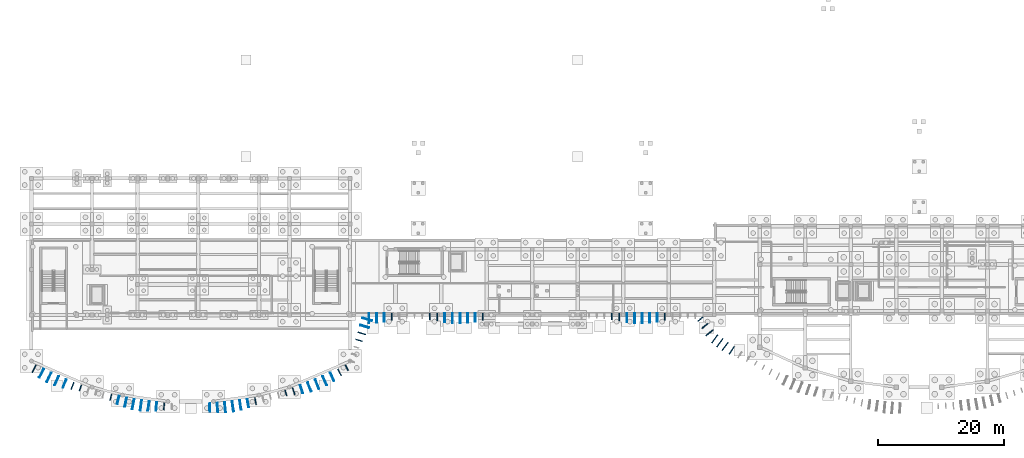
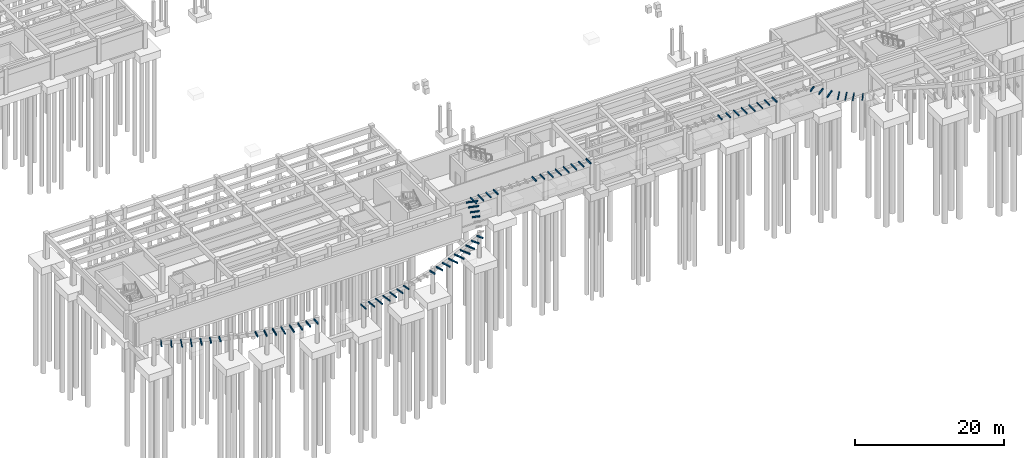
# One storey, part 21 of 31: 62 discrete accessories.
"""IFC4 building model written with IfcOpenShell, lengths in metres."""

from ifc_helpers import new_model, si_unit, direction, frame, origin, origin_2d, place, context, subcontext, project, spatial, rectangle, extrude, material, type_object, element, save


model = new_model("IFC4")

# Units and contexts
model_context = context("Model", 3, precision=1e-05, world=origin(), true_north=direction((0.0, 1.0)))
body_context = subcontext(model_context, "Body", "Model", "MODEL_VIEW")
ifc_project = project(units=[si_unit("LENGTHUNIT", "METRE"), si_unit("AREAUNIT", "SQUARE_METRE"), si_unit("VOLUMEUNIT", "CUBIC_METRE"), si_unit("PLANEANGLEUNIT", "RADIAN"), si_unit("MASSUNIT", "GRAM", prefix="KILO")], contexts=[model_context])

# Site, building, storey
site_placement = place(None, origin())
site = spatial("IfcSite", under=ifc_project, at=site_placement, CompositionType="ELEMENT")
building_placement = place(site_placement, origin())
building = spatial("IfcBuilding", under=site, at=building_placement, Name="Brisavento Harbour Community Centre", CompositionType="ELEMENT")
storey_placement = place(building_placement, frame((0.0, 0.0, -4.199951171875)))
storey = spatial("IfcBuildingStorey", under=building, at=storey_placement, Name="B1", CompositionType="ELEMENT", Elevation=-4.199951171875)

# Discrete accessories
ifc_material = material(Name="Stainless steel 1.4401", Category="steel")
discrete_accessory_type = type_object("IfcDiscreteAccessoryType", Name="BRK-FIN-SS", PredefinedType="BRACKET", material=ifc_material)
discrete_accessory_1_placement = place(storey_placement, frame((0.431884765625, 5.878662109375, 3.97998046875), z_axis=(0.0, 0.0, 1.0), x_axis=(-0.461702168823, -0.887035009063, 0.0)))
element("IfcDiscreteAccessory", 1, at=discrete_accessory_1_placement, inside=storey, type_object=discrete_accessory_type, Name="Stainless-steel storm-fin bracket 001.1", PredefinedType="BRACKET", context=body_context, shape_type="SweptSolid", body=[
    extrude(rectangle(XDim=1.32861328125, YDim=0.139892578125, at=origin_2d()), origin(), (0.0, 0.0, 1.0), 0.199951171875),
])
discrete_accessory_2_placement = place(storey_placement, frame((1.58447265625, 5.1630859375, 3.97998046875), z_axis=(0.0, 0.0, 1.0), x_axis=(-0.461702168823, -0.887035009063, 0.0)))
element("IfcDiscreteAccessory", 2, at=discrete_accessory_2_placement, inside=storey, type_object=discrete_accessory_type, Name="Stainless-steel storm-fin bracket 002.1", PredefinedType="BRACKET", context=body_context, shape_type="SweptSolid", body=[
    extrude(rectangle(XDim=1.533935546875, YDim=0.139892578125, at=origin_2d()), origin(), (0.0, 0.0, 1.0), 0.199951171875),
])
discrete_accessory_3_placement = place(storey_placement, frame((2.786376953125, 4.5234375, 3.97998046875), z_axis=(0.0, 0.0, 1.0), x_axis=(-0.415518926407, -0.909584532519, 0.0)))
element("IfcDiscreteAccessory", 3, at=discrete_accessory_3_placement, inside=storey, type_object=discrete_accessory_type, Name="Stainless-steel storm-fin bracket 003.1", PredefinedType="BRACKET", context=body_context, shape_type="SweptSolid", body=[
    extrude(rectangle(XDim=1.627685546875, YDim=0.139892578125, at=origin_2d()), origin(), (0.0, 0.0, 1.0), 0.199951171875),
])
discrete_accessory_4_placement = place(storey_placement, frame((3.99560546875, 3.99560546875, 3.97998046875), z_axis=(0.0, 0.0, 1.0), x_axis=(-0.415518926407, -0.909584532519, 0.0)))
element("IfcDiscreteAccessory", 4, at=discrete_accessory_4_placement, inside=storey, type_object=discrete_accessory_type, Name="Stainless-steel storm-fin bracket 004.1", PredefinedType="BRACKET", context=body_context, shape_type="SweptSolid", body=[
    extrude(rectangle(XDim=1.583251953125, YDim=0.139892578125, at=origin_2d()), origin(), (0.0, 0.0, 1.0), 0.199951171875),
])
discrete_accessory_5_placement = place(storey_placement, frame((5.248779296875, 3.549560546875, 3.97998046875), z_axis=(0.0, 0.0, 1.0), x_axis=(-0.369341311525, -0.92929381554, 0.0)))
element("IfcDiscreteAccessory", 5, at=discrete_accessory_5_placement, inside=storey, type_object=discrete_accessory_type, Name="Stainless-steel storm-fin bracket 005.1", PredefinedType="BRACKET", context=body_context, shape_type="SweptSolid", body=[
    extrude(rectangle(XDim=1.419189453125, YDim=0.139892578125, at=origin_2d()), origin(), (0.0, 0.0, 1.0), 0.199951171875),
])
discrete_accessory_6_placement = place(storey_placement, frame((6.490966796875, 3.17919921875, 3.97998046875), z_axis=(0.0, 0.0, 1.0), x_axis=(-0.369341311525, -0.92929381554, 0.0)))
element("IfcDiscreteAccessory", 6, at=discrete_accessory_6_placement, inside=storey, type_object=discrete_accessory_type, Name="Stainless-steel storm-fin bracket 006.1", PredefinedType="BRACKET", context=body_context, shape_type="SweptSolid", body=[
    extrude(rectangle(XDim=1.18994140625, YDim=0.139892578125, at=origin_2d()), origin(), (0.0, 0.0, 1.0), 0.199951171875),
])
discrete_accessory_7_placement = place(storey_placement, frame((7.74072265625, 2.836181640625, 3.97998046875), z_axis=(0.0, 0.0, 1.0), x_axis=(-0.323174264667, -0.94633947115, 0.0)))
element("IfcDiscreteAccessory", 7, at=discrete_accessory_7_placement, inside=storey, type_object=discrete_accessory_type, Name="Stainless-steel storm-fin bracket 007.1", PredefinedType="BRACKET", context=body_context, shape_type="SweptSolid", body=[
    extrude(rectangle(XDim=0.96728515625, YDim=0.139892578125, at=origin_2d()), origin(), (0.0, 0.0, 1.0), 0.199951171875),
])
discrete_accessory_8_placement = place(storey_placement, frame((12.54736328125, 1.339111328125, 3.97998046875), z_axis=(0.0, 0.0, 1.0), x_axis=(-0.230830981037, -0.972993863389, 0.0)))
element("IfcDiscreteAccessory", 8, at=discrete_accessory_8_placement, inside=storey, type_object=discrete_accessory_type, Name="Stainless-steel storm-fin bracket 011.1", PredefinedType="BRACKET", context=body_context, shape_type="SweptSolid", body=[
    extrude(rectangle(XDim=1.0556640625, YDim=0.139892578125, at=origin_2d()), origin(), (0.0, 0.0, 1.0), 0.199951171875),
])
discrete_accessory_9_placement = place(storey_placement, frame((13.721435546875, 0.945068359375, 3.97998046875), z_axis=(0.0, 0.0, 1.0), x_axis=(-0.230830981037, -0.972993863389, 0.0)))
element("IfcDiscreteAccessory", 9, at=discrete_accessory_9_placement, inside=storey, type_object=discrete_accessory_type, Name="Stainless-steel storm-fin bracket 012.1", PredefinedType="BRACKET", context=body_context, shape_type="SweptSolid", body=[
    extrude(rectangle(XDim=1.28076171875, YDim=0.139892578125, at=origin_2d()), origin(), (0.0, 0.0, 1.0), 0.199951171875),
])
discrete_accessory_10_placement = place(storey_placement, frame((14.91845703125, 0.5869140625, 3.97998046875), z_axis=(0.0, 0.0, 1.0), x_axis=(-0.184671830369, -0.982800241691, 0.0)))
element("IfcDiscreteAccessory", 10, at=discrete_accessory_10_placement, inside=storey, type_object=discrete_accessory_type, Name="Stainless-steel storm-fin bracket 013.1", PredefinedType="BRACKET", context=body_context, shape_type="SweptSolid", body=[
    extrude(rectangle(XDim=1.4833984375, YDim=0.139892578125, at=origin_2d()), origin(), (0.0, 0.0, 1.0), 0.199951171875),
])
discrete_accessory_11_placement = place(storey_placement, frame((16.10693359375, 0.30029296875, 3.97998046875), z_axis=(0.0, 0.0, 1.0), x_axis=(-0.184671830369, -0.982800241691, 0.0)))
element("IfcDiscreteAccessory", 11, at=discrete_accessory_11_placement, inside=storey, type_object=discrete_accessory_type, Name="Stainless-steel storm-fin bracket 014.1", PredefinedType="BRACKET", context=body_context, shape_type="SweptSolid", body=[
    extrude(rectangle(XDim=1.60791015625, YDim=0.139892578125, at=origin_2d()), origin(), (0.0, 0.0, 1.0), 0.199951171875),
])
discrete_accessory_12_placement = place(storey_placement, frame((17.329345703125, 0.093505859375, 3.97998046875), z_axis=(0.0, 0.0, 1.0), x_axis=(-0.138499014678, -0.990362571452, 0.0)))
element("IfcDiscreteAccessory", 12, at=discrete_accessory_12_placement, inside=storey, type_object=discrete_accessory_type, Name="Stainless-steel storm-fin bracket 015.1", PredefinedType="BRACKET", context=body_context, shape_type="SweptSolid", body=[
    extrude(rectangle(XDim=1.620849609375, YDim=0.139892578125, at=origin_2d()), origin(), (0.0, 0.0, 1.0), 0.199951171875),
])
discrete_accessory_13_placement = place(storey_placement, frame((18.536376953125, -0.0244140625, 3.97998046875), z_axis=(0.0, 0.0, 1.0), x_axis=(-0.138499014678, -0.990362571452, 0.0)))
element("IfcDiscreteAccessory", 13, at=discrete_accessory_13_placement, inside=storey, type_object=discrete_accessory_type, Name="Stainless-steel storm-fin bracket 016.1", PredefinedType="BRACKET", context=body_context, shape_type="SweptSolid", body=[
    extrude(rectangle(XDim=1.52001953125, YDim=0.139892578125, at=origin_2d()), origin(), (0.0, 0.0, 1.0), 0.199951171875),
])
discrete_accessory_14_placement = place(storey_placement, frame((19.76611328125, -0.073486328125, 3.97998046875), z_axis=(0.0, 0.0, 1.0), x_axis=(-0.092335830041, -0.99572792192, 0.0)))
element("IfcDiscreteAccessory", 14, at=discrete_accessory_14_placement, inside=storey, type_object=discrete_accessory_type, Name="Stainless-steel storm-fin bracket 017.1", PredefinedType="BRACKET", context=body_context, shape_type="SweptSolid", body=[
    extrude(rectangle(XDim=1.333740234375, YDim=0.139892578125, at=origin_2d()), origin(), (0.0, 0.0, 1.0), 0.199951171875),
])
discrete_accessory_15_placement = place(storey_placement, frame((20.976318359375, -0.074951171875, 3.97998046875), z_axis=(0.0, 0.0, 1.0), x_axis=(-0.092335830041, -0.99572792192, 0.0)))
element("IfcDiscreteAccessory", 15, at=discrete_accessory_15_placement, inside=storey, type_object=discrete_accessory_type, Name="Stainless-steel storm-fin bracket 018.1", PredefinedType="BRACKET", context=body_context, shape_type="SweptSolid", body=[
    extrude(rectangle(XDim=1.11279296875, YDim=0.139892578125, at=origin_2d()), origin(), (0.0, 0.0, 1.0), 0.199951171875),
])
discrete_accessory_16_placement = place(storey_placement, frame((28.216064453125, -0.251708984375, 3.97998046875), z_axis=(0.0, 0.0, 1.0), x_axis=(0.0461649984, -0.9989338281, 0.0)))
element("IfcDiscreteAccessory", 16, at=discrete_accessory_16_placement, inside=storey, type_object=discrete_accessory_type, Name="Stainless-steel storm-fin bracket 020.1", PredefinedType="BRACKET", context=body_context, shape_type="SweptSolid", body=[
    extrude(rectangle(XDim=1.29833984375, YDim=0.139892578125, at=origin_2d()), origin(), (0.0, 0.0, 1.0), 0.199951171875),
])
discrete_accessory_17_placement = place(storey_placement, frame((29.441162109375, -0.264404296875, 3.97998046875), z_axis=(0.0, 0.0, 1.0), x_axis=(0.092335830041, -0.99572792192, 0.0)))
element("IfcDiscreteAccessory", 17, at=discrete_accessory_17_placement, inside=storey, type_object=discrete_accessory_type, Name="Stainless-steel storm-fin bracket 021.1", PredefinedType="BRACKET", context=body_context, shape_type="SweptSolid", body=[
    extrude(rectangle(XDim=1.49365234375, YDim=0.139892578125, at=origin_2d()), origin(), (0.0, 0.0, 1.0), 0.199951171875),
])
discrete_accessory_18_placement = place(storey_placement, frame((30.646728515625, -0.211669921875, 3.97998046875), z_axis=(0.0, 0.0, 1.0), x_axis=(0.092335830041, -0.99572792192, 0.0)))
element("IfcDiscreteAccessory", 18, at=discrete_accessory_18_placement, inside=storey, type_object=discrete_accessory_type, Name="Stainless-steel storm-fin bracket 022.1", PredefinedType="BRACKET", context=body_context, shape_type="SweptSolid", body=[
    extrude(rectangle(XDim=1.611083984375, YDim=0.139892578125, at=origin_2d()), origin(), (0.0, 0.0, 1.0), 0.199951171875),
])
discrete_accessory_19_placement = place(storey_placement, frame((31.87060546875, -0.0732421875, 3.97998046875), z_axis=(0.0, 0.0, 1.0), x_axis=(0.138499014678, -0.990362571452, 0.0)))
element("IfcDiscreteAccessory", 19, at=discrete_accessory_19_placement, inside=storey, type_object=discrete_accessory_type, Name="Stainless-steel storm-fin bracket 023.1", PredefinedType="BRACKET", context=body_context, shape_type="SweptSolid", body=[
    extrude(rectangle(XDim=1.618896484375, YDim=0.139892578125, at=origin_2d()), origin(), (0.0, 0.0, 1.0), 0.199951171875),
])
discrete_accessory_20_placement = place(storey_placement, frame((33.063232421875, 0.146484375, 3.97998046875), z_axis=(0.0, 0.0, 1.0), x_axis=(0.138499014678, -0.990362571452, 0.0)))
element("IfcDiscreteAccessory", 20, at=discrete_accessory_20_placement, inside=storey, type_object=discrete_accessory_type, Name="Stainless-steel storm-fin bracket 024.1", PredefinedType="BRACKET", context=body_context, shape_type="SweptSolid", body=[
    extrude(rectangle(XDim=1.513916015625, YDim=0.139892578125, at=origin_2d()), origin(), (0.0, 0.0, 1.0), 0.199951171875),
])
discrete_accessory_21_placement = place(storey_placement, frame((34.266845703125, 0.440185546875, 3.97998046875), z_axis=(0.0, 0.0, 1.0), x_axis=(0.184671830369, -0.982800241691, 0.0)))
element("IfcDiscreteAccessory", 21, at=discrete_accessory_21_placement, inside=storey, type_object=discrete_accessory_type, Name="Stainless-steel storm-fin bracket 025.1", PredefinedType="BRACKET", context=body_context, shape_type="SweptSolid", body=[
    extrude(rectangle(XDim=1.323486328125, YDim=0.139892578125, at=origin_2d()), origin(), (0.0, 0.0, 1.0), 0.199951171875),
])
discrete_accessory_22_placement = place(storey_placement, frame((35.4462890625, 0.775634765625, 3.97998046875), z_axis=(0.0, 0.0, 1.0), x_axis=(0.184671830369, -0.982800241691, 0.0)))
element("IfcDiscreteAccessory", 22, at=discrete_accessory_22_placement, inside=storey, type_object=discrete_accessory_type, Name="Stainless-steel storm-fin bracket 026.1", PredefinedType="BRACKET", context=body_context, shape_type="SweptSolid", body=[
    extrude(rectangle(XDim=1.099853515625, YDim=0.139892578125, at=origin_2d()), origin(), (0.0, 0.0, 1.0), 0.199951171875),
])
discrete_accessory_23_placement = place(storey_placement, frame((40.244384765625, 2.06787109375, 3.97998046875), z_axis=(0.0, 0.0, 1.0), x_axis=(0.276996031628, -0.96087106235, 0.0)))
element("IfcDiscreteAccessory", 23, at=discrete_accessory_23_placement, inside=storey, type_object=discrete_accessory_type, Name="Stainless-steel storm-fin bracket 030.1", PredefinedType="BRACKET", context=body_context, shape_type="SweptSolid", body=[
    extrude(rectangle(XDim=0.921142578125, YDim=0.139892578125, at=origin_2d()), origin(), (0.0, 0.0, 1.0), 0.199951171875),
])
discrete_accessory_24_placement = place(storey_placement, frame((41.4853515625, 2.350341796875, 3.97998046875), z_axis=(0.0, 0.0, 1.0), x_axis=(0.323174264667, -0.94633947115, 0.0)))
element("IfcDiscreteAccessory", 24, at=discrete_accessory_24_placement, inside=storey, type_object=discrete_accessory_type, Name="Stainless-steel storm-fin bracket 031.1", PredefinedType="BRACKET", context=body_context, shape_type="SweptSolid", body=[
    extrude(rectangle(XDim=1.1279296875, YDim=0.139892578125, at=origin_2d()), origin(), (0.0, 0.0, 1.0), 0.199951171875),
])
discrete_accessory_25_placement = place(storey_placement, frame((42.72265625, 2.650634765625, 3.97998046875), z_axis=(0.0, 0.0, 1.0), x_axis=(0.323174264667, -0.94633947115, 0.0)))
element("IfcDiscreteAccessory", 25, at=discrete_accessory_25_placement, inside=storey, type_object=discrete_accessory_type, Name="Stainless-steel storm-fin bracket 032.1", PredefinedType="BRACKET", context=body_context, shape_type="SweptSolid", body=[
    extrude(rectangle(XDim=1.359130859375, YDim=0.139892578125, at=origin_2d()), origin(), (0.0, 0.0, 1.0), 0.199951171875),
])
discrete_accessory_26_placement = place(storey_placement, frame((43.974609375, 3.013916015625, 3.97998046875), z_axis=(0.0, 0.0, 1.0), x_axis=(0.369341311525, -0.92929381554, 0.0)))
element("IfcDiscreteAccessory", 26, at=discrete_accessory_26_placement, inside=storey, type_object=discrete_accessory_type, Name="Stainless-steel storm-fin bracket 033.1", PredefinedType="BRACKET", context=body_context, shape_type="SweptSolid", body=[
    extrude(rectangle(XDim=1.54541015625, YDim=0.139892578125, at=origin_2d()), origin(), (0.0, 0.0, 1.0), 0.199951171875),
])
discrete_accessory_27_placement = place(storey_placement, frame((45.18994140625, 3.4521484375, 3.97998046875), z_axis=(0.0, 0.0, 1.0), x_axis=(0.369341311525, -0.92929381554, 0.0)))
element("IfcDiscreteAccessory", 27, at=discrete_accessory_27_placement, inside=storey, type_object=discrete_accessory_type, Name="Stainless-steel storm-fin bracket 034.1", PredefinedType="BRACKET", context=body_context, shape_type="SweptSolid", body=[
    extrude(rectangle(XDim=1.628662109375, YDim=0.139892578125, at=origin_2d()), origin(), (0.0, 0.0, 1.0), 0.199951171875),
])
discrete_accessory_28_placement = place(storey_placement, frame((46.403564453125, 3.9970703125, 3.97998046875), z_axis=(0.0, 0.0, 1.0), x_axis=(0.415518926407, -0.909584532519, 0.0)))
element("IfcDiscreteAccessory", 28, at=discrete_accessory_28_placement, inside=storey, type_object=discrete_accessory_type, Name="Stainless-steel storm-fin bracket 035.1", PredefinedType="BRACKET", context=body_context, shape_type="SweptSolid", body=[
    extrude(rectangle(XDim=1.57958984375, YDim=0.139892578125, at=origin_2d()), origin(), (0.0, 0.0, 1.0), 0.199951171875),
])
discrete_accessory_29_placement = place(storey_placement, frame((47.568359375, 4.62255859375, 3.97998046875), z_axis=(0.0, 0.0, 1.0), x_axis=(0.415518926407, -0.909584532519, 0.0)))
element("IfcDiscreteAccessory", 29, at=discrete_accessory_29_placement, inside=storey, type_object=discrete_accessory_type, Name="Stainless-steel storm-fin bracket 036.1", PredefinedType="BRACKET", context=body_context, shape_type="SweptSolid", body=[
    extrude(rectangle(XDim=1.41015625, YDim=0.139892578125, at=origin_2d()), origin(), (0.0, 0.0, 1.0), 0.199951171875),
])
discrete_accessory_30_placement = place(storey_placement, frame((48.73193359375, 5.323974609375, 3.97998046875), z_axis=(0.0, 0.0, 1.0), x_axis=(0.461702168823, -0.887035009063, 0.0)))
element("IfcDiscreteAccessory", 30, at=discrete_accessory_30_placement, inside=storey, type_object=discrete_accessory_type, Name="Stainless-steel storm-fin bracket 037.1", PredefinedType="BRACKET", context=body_context, shape_type="SweptSolid", body=[
    extrude(rectangle(XDim=1.17138671875, YDim=0.139892578125, at=origin_2d()), origin(), (0.0, 0.0, 1.0), 0.199951171875),
])
discrete_accessory_31_placement = place(storey_placement, frame((49.878662109375, 6.050537109375, 3.97998046875), z_axis=(0.0, 0.0, 1.0), x_axis=(0.461702168823, -0.887035009063, 0.0)))
element("IfcDiscreteAccessory", 31, at=discrete_accessory_31_placement, inside=storey, type_object=discrete_accessory_type, Name="Stainless-steel storm-fin bracket 038.1", PredefinedType="BRACKET", context=body_context, shape_type="SweptSolid", body=[
    extrude(rectangle(XDim=0.941162109375, YDim=0.139892578125, at=origin_2d()), origin(), (0.0, 0.0, 1.0), 0.199951171875),
])
discrete_accessory_32_placement = place(storey_placement, frame((51.814208984375, 10.391845703125, 3.97998046875), z_axis=(0.0, 0.0, 1.0), x_axis=(0.956676487643, -0.291153049083, 0.0)))
element("IfcDiscreteAccessory", 32, at=discrete_accessory_32_placement, inside=storey, type_object=discrete_accessory_type, Name="Stainless-steel storm-fin bracket 042.1", PredefinedType="BRACKET", context=body_context, shape_type="SweptSolid", body=[
    extrude(rectangle(XDim=1.0478515625, YDim=0.139892578125, at=origin_2d()), origin(), (0.0, 0.0, 1.0), 0.199951171875),
])
discrete_accessory_33_placement = place(storey_placement, frame((52.259765625, 11.4873046875, 3.97998046875), z_axis=(0.0, 0.0, 1.0), x_axis=(0.956676487643, -0.291153049083, 0.0)))
element("IfcDiscreteAccessory", 33, at=discrete_accessory_33_placement, inside=storey, type_object=discrete_accessory_type, Name="Stainless-steel storm-fin bracket 043.1", PredefinedType="BRACKET", context=body_context, shape_type="SweptSolid", body=[
    extrude(rectangle(XDim=1.26220703125, YDim=0.139892578125, at=origin_2d()), origin(), (0.0, 0.0, 1.0), 0.199951171875),
])
discrete_accessory_34_placement = place(storey_placement, frame((52.697998046875, 12.584716796875, 3.97998046875), z_axis=(0.0, 0.0, 1.0), x_axis=(0.956676487643, -0.291153049083, 0.0)))
element("IfcDiscreteAccessory", 34, at=discrete_accessory_34_placement, inside=storey, type_object=discrete_accessory_type, Name="Stainless-steel storm-fin bracket 044.1", PredefinedType="BRACKET", context=body_context, shape_type="SweptSolid", body=[
    extrude(rectangle(XDim=1.4619140625, YDim=0.139892578125, at=origin_2d()), origin(), (0.0, 0.0, 1.0), 0.199951171875),
])
discrete_accessory_35_placement = place(storey_placement, frame((53.1044921875, 13.69189453125, 3.97998046875), z_axis=(0.0, 0.0, 1.0), x_axis=(0.956676487643, -0.291153049083, 0.0)))
element("IfcDiscreteAccessory", 35, at=discrete_accessory_35_placement, inside=storey, type_object=discrete_accessory_type, Name="Stainless-steel storm-fin bracket 045.1", PredefinedType="BRACKET", context=body_context, shape_type="SweptSolid", body=[
    extrude(rectangle(XDim=1.59521484375, YDim=0.139892578125, at=origin_2d()), origin(), (0.0, 0.0, 1.0), 0.199951171875),
])
discrete_accessory_36_placement = place(storey_placement, frame((53.39990234375, 13.88623046875, 3.97998046875), z_axis=(0.0, 0.0, 1.0), x_axis=(0.0, -1.0, 0.0)))
element("IfcDiscreteAccessory", 36, at=discrete_accessory_36_placement, inside=storey, type_object=discrete_accessory_type, Name="Stainless-steel storm-fin bracket 046.1", PredefinedType="BRACKET", context=body_context, shape_type="SweptSolid", body=[
    extrude(rectangle(XDim=1.62744140625, YDim=0.139892578125, at=origin_2d()), origin(), (0.0, 0.0, 1.0), 0.199951171875),
])
discrete_accessory_37_placement = place(storey_placement, frame((54.60009765625, 13.92626953125, 3.97998046875), z_axis=(0.0, 0.0, 1.0), x_axis=(0.0, -1.0, 0.0)))
element("IfcDiscreteAccessory", 37, at=discrete_accessory_37_placement, inside=storey, type_object=discrete_accessory_type, Name="Stainless-steel storm-fin bracket 047.1", PredefinedType="BRACKET", context=body_context, shape_type="SweptSolid", body=[
    extrude(rectangle(XDim=1.54736328125, YDim=0.139892578125, at=origin_2d()), origin(), (0.0, 0.0, 1.0), 0.199951171875),
])
discrete_accessory_38_placement = place(storey_placement, frame((55.800048828125, 14.01220703125, 3.97998046875), z_axis=(0.0, 0.0, 1.0), x_axis=(0.0, -1.0, 0.0)))
element("IfcDiscreteAccessory", 38, at=discrete_accessory_38_placement, inside=storey, type_object=discrete_accessory_type, Name="Stainless-steel storm-fin bracket 048.1", PredefinedType="BRACKET", context=body_context, shape_type="SweptSolid", body=[
    extrude(rectangle(XDim=1.37548828125, YDim=0.139892578125, at=origin_2d()), origin(), (0.0, 0.0, 1.0), 0.199951171875),
])
discrete_accessory_39_placement = place(storey_placement, frame((57.0, 14.12109375, 3.97998046875), z_axis=(0.0, 0.0, 1.0), x_axis=(0.0, -1.0, 0.0)))
element("IfcDiscreteAccessory", 39, at=discrete_accessory_39_placement, inside=storey, type_object=discrete_accessory_type, Name="Stainless-steel storm-fin bracket 049.1", PredefinedType="BRACKET", context=body_context, shape_type="SweptSolid", body=[
    extrude(rectangle(XDim=1.157958984375, YDim=0.139892578125, at=origin_2d()), origin(), (0.0, 0.0, 1.0), 0.199951171875),
])
discrete_accessory_40_placement = place(storey_placement, frame((63.0, 14.182861328125, 3.97998046875), z_axis=(0.0, 0.0, 1.0), x_axis=(0.0, -1.0, 0.0)))
element("IfcDiscreteAccessory", 40, at=discrete_accessory_40_placement, inside=storey, type_object=discrete_accessory_type, Name="Stainless-steel storm-fin bracket 054.1", PredefinedType="BRACKET", context=body_context, shape_type="SweptSolid", body=[
    extrude(rectangle(XDim=1.034423828125, YDim=0.139892578125, at=origin_2d()), origin(), (0.0, 0.0, 1.0), 0.199951171875),
])
discrete_accessory_41_placement = place(storey_placement, frame((64.199951171875, 14.073974609375, 3.97998046875), z_axis=(0.0, 0.0, 1.0), x_axis=(0.0, -1.0, 0.0)))
element("IfcDiscreteAccessory", 41, at=discrete_accessory_41_placement, inside=storey, type_object=discrete_accessory_type, Name="Stainless-steel storm-fin bracket 055.1", PredefinedType="BRACKET", context=body_context, shape_type="SweptSolid", body=[
    extrude(rectangle(XDim=1.251953125, YDim=0.139892578125, at=origin_2d()), origin(), (0.0, 0.0, 1.0), 0.199951171875),
])
discrete_accessory_42_placement = place(storey_placement, frame((65.39990234375, 13.971435546875, 3.97998046875), z_axis=(0.0, 0.0, 1.0), x_axis=(0.0, -1.0, 0.0)))
element("IfcDiscreteAccessory", 42, at=discrete_accessory_42_placement, inside=storey, type_object=discrete_accessory_type, Name="Stainless-steel storm-fin bracket 056.1", PredefinedType="BRACKET", context=body_context, shape_type="SweptSolid", body=[
    extrude(rectangle(XDim=1.456787109375, YDim=0.139892578125, at=origin_2d()), origin(), (0.0, 0.0, 1.0), 0.199951171875),
])
discrete_accessory_43_placement = place(storey_placement, frame((66.60009765625, 13.90283203125, 3.97998046875), z_axis=(0.0, 0.0, 1.0), x_axis=(0.0, -1.0, 0.0)))
element("IfcDiscreteAccessory", 43, at=discrete_accessory_43_placement, inside=storey, type_object=discrete_accessory_type, Name="Stainless-steel storm-fin bracket 057.1", PredefinedType="BRACKET", context=body_context, shape_type="SweptSolid", body=[
    extrude(rectangle(XDim=1.59423828125, YDim=0.139892578125, at=origin_2d()), origin(), (0.0, 0.0, 1.0), 0.199951171875),
])
discrete_accessory_44_placement = place(storey_placement, frame((67.800048828125, 13.88623046875, 3.97998046875), z_axis=(0.0, 0.0, 1.0), x_axis=(0.0, -1.0, 0.0)))
element("IfcDiscreteAccessory", 44, at=discrete_accessory_44_placement, inside=storey, type_object=discrete_accessory_type, Name="Stainless-steel storm-fin bracket 058.1", PredefinedType="BRACKET", context=body_context, shape_type="SweptSolid", body=[
    extrude(rectangle(XDim=1.62744140625, YDim=0.139892578125, at=origin_2d()), origin(), (0.0, 0.0, 1.0), 0.199951171875),
])
discrete_accessory_45_placement = place(storey_placement, frame((69.0, 13.92626953125, 3.97998046875), z_axis=(0.0, 0.0, 1.0), x_axis=(0.0, -1.0, 0.0)))
element("IfcDiscreteAccessory", 45, at=discrete_accessory_45_placement, inside=storey, type_object=discrete_accessory_type, Name="Stainless-steel storm-fin bracket 059.1", PredefinedType="BRACKET", context=body_context, shape_type="SweptSolid", body=[
    extrude(rectangle(XDim=1.54736328125, YDim=0.139892578125, at=origin_2d()), origin(), (0.0, 0.0, 1.0), 0.199951171875),
])
discrete_accessory_46_placement = place(storey_placement, frame((70.199951171875, 14.01220703125, 3.97998046875), z_axis=(0.0, 0.0, 1.0), x_axis=(0.0, -1.0, 0.0)))
element("IfcDiscreteAccessory", 46, at=discrete_accessory_46_placement, inside=storey, type_object=discrete_accessory_type, Name="Stainless-steel storm-fin bracket 060.1", PredefinedType="BRACKET", context=body_context, shape_type="SweptSolid", body=[
    extrude(rectangle(XDim=1.37548828125, YDim=0.139892578125, at=origin_2d()), origin(), (0.0, 0.0, 1.0), 0.199951171875),
])
discrete_accessory_47_placement = place(storey_placement, frame((71.39990234375, 14.12109375, 3.97998046875), z_axis=(0.0, 0.0, 1.0), x_axis=(0.0, -1.0, 0.0)))
element("IfcDiscreteAccessory", 47, at=discrete_accessory_47_placement, inside=storey, type_object=discrete_accessory_type, Name="Stainless-steel storm-fin bracket 061.1", PredefinedType="BRACKET", context=body_context, shape_type="SweptSolid", body=[
    extrude(rectangle(XDim=1.157958984375, YDim=0.139892578125, at=origin_2d()), origin(), (0.0, 0.0, 1.0), 0.199951171875),
])
discrete_accessory_48_placement = place(storey_placement, frame((91.800048828125, 14.182861328125, 3.97998046875), z_axis=(0.0, 0.0, 1.0), x_axis=(0.0, -1.0, 0.0)))
element("IfcDiscreteAccessory", 48, at=discrete_accessory_48_placement, inside=storey, type_object=discrete_accessory_type, Name="Stainless-steel storm-fin bracket 078.1", PredefinedType="BRACKET", context=body_context, shape_type="SweptSolid", body=[
    extrude(rectangle(XDim=1.034423828125, YDim=0.139892578125, at=origin_2d()), origin(), (0.0, 0.0, 1.0), 0.199951171875),
])
discrete_accessory_49_placement = place(storey_placement, frame((93.0, 14.073974609375, 3.97998046875), z_axis=(0.0, 0.0, 1.0), x_axis=(0.0, -1.0, 0.0)))
element("IfcDiscreteAccessory", 49, at=discrete_accessory_49_placement, inside=storey, type_object=discrete_accessory_type, Name="Stainless-steel storm-fin bracket 079.1", PredefinedType="BRACKET", context=body_context, shape_type="SweptSolid", body=[
    extrude(rectangle(XDim=1.251953125, YDim=0.139892578125, at=origin_2d()), origin(), (0.0, 0.0, 1.0), 0.199951171875),
])
discrete_accessory_50_placement = place(storey_placement, frame((94.199951171875, 13.971435546875, 3.97998046875), z_axis=(0.0, 0.0, 1.0), x_axis=(0.0, -1.0, 0.0)))
element("IfcDiscreteAccessory", 50, at=discrete_accessory_50_placement, inside=storey, type_object=discrete_accessory_type, Name="Stainless-steel storm-fin bracket 080.1", PredefinedType="BRACKET", context=body_context, shape_type="SweptSolid", body=[
    extrude(rectangle(XDim=1.456787109375, YDim=0.139892578125, at=origin_2d()), origin(), (0.0, 0.0, 1.0), 0.199951171875),
])
discrete_accessory_51_placement = place(storey_placement, frame((95.39990234375, 13.90283203125, 3.97998046875), z_axis=(0.0, 0.0, 1.0), x_axis=(0.0, -1.0, 0.0)))
element("IfcDiscreteAccessory", 51, at=discrete_accessory_51_placement, inside=storey, type_object=discrete_accessory_type, Name="Stainless-steel storm-fin bracket 081.1", PredefinedType="BRACKET", context=body_context, shape_type="SweptSolid", body=[
    extrude(rectangle(XDim=1.59423828125, YDim=0.139892578125, at=origin_2d()), origin(), (0.0, 0.0, 1.0), 0.199951171875),
])
discrete_accessory_52_placement = place(storey_placement, frame((96.60009765625, 13.88623046875, 3.97998046875), z_axis=(0.0, 0.0, 1.0), x_axis=(0.0, -1.0, 0.0)))
element("IfcDiscreteAccessory", 52, at=discrete_accessory_52_placement, inside=storey, type_object=discrete_accessory_type, Name="Stainless-steel storm-fin bracket 082.1", PredefinedType="BRACKET", context=body_context, shape_type="SweptSolid", body=[
    extrude(rectangle(XDim=1.62744140625, YDim=0.139892578125, at=origin_2d()), origin(), (0.0, 0.0, 1.0), 0.199951171875),
])
discrete_accessory_53_placement = place(storey_placement, frame((97.800048828125, 13.92626953125, 3.97998046875), z_axis=(0.0, 0.0, 1.0), x_axis=(0.0, -1.0, 0.0)))
element("IfcDiscreteAccessory", 53, at=discrete_accessory_53_placement, inside=storey, type_object=discrete_accessory_type, Name="Stainless-steel storm-fin bracket 083.1", PredefinedType="BRACKET", context=body_context, shape_type="SweptSolid", body=[
    extrude(rectangle(XDim=1.54736328125, YDim=0.139892578125, at=origin_2d()), origin(), (0.0, 0.0, 1.0), 0.199951171875),
])
discrete_accessory_54_placement = place(storey_placement, frame((99.0, 14.01220703125, 3.97998046875), z_axis=(0.0, 0.0, 1.0), x_axis=(0.0, -1.0, 0.0)))
element("IfcDiscreteAccessory", 54, at=discrete_accessory_54_placement, inside=storey, type_object=discrete_accessory_type, Name="Stainless-steel storm-fin bracket 084.1", PredefinedType="BRACKET", context=body_context, shape_type="SweptSolid", body=[
    extrude(rectangle(XDim=1.37548828125, YDim=0.139892578125, at=origin_2d()), origin(), (0.0, 0.0, 1.0), 0.199951171875),
])
discrete_accessory_55_placement = place(storey_placement, frame((100.199951171875, 14.12109375, 3.97998046875), z_axis=(0.0, 0.0, 1.0), x_axis=(0.0, -1.0, 0.0)))
element("IfcDiscreteAccessory", 55, at=discrete_accessory_55_placement, inside=storey, type_object=discrete_accessory_type, Name="Stainless-steel storm-fin bracket 085.1", PredefinedType="BRACKET", context=body_context, shape_type="SweptSolid", body=[
    extrude(rectangle(XDim=1.157958984375, YDim=0.139892578125, at=origin_2d()), origin(), (0.0, 0.0, 1.0), 0.199951171875),
])
discrete_accessory_56_placement = place(storey_placement, frame((105.825439453125, 13.751708984375, 3.97998046875), z_axis=(0.0, 0.0, 1.0), x_axis=(-0.788053732966, -0.615606460297, 0.0)))
element("IfcDiscreteAccessory", 56, at=discrete_accessory_56_placement, inside=storey, type_object=discrete_accessory_type, Name="Stainless-steel storm-fin bracket 090.1", PredefinedType="BRACKET", context=body_context, shape_type="SweptSolid", body=[
    extrude(rectangle(XDim=1.043212890625, YDim=0.139892578125, at=origin_2d()), origin(), (0.0, 0.0, 1.0), 0.199951171875),
])
discrete_accessory_57_placement = place(storey_placement, frame((106.5322265625, 12.65478515625, 3.97998046875), z_axis=(0.0, 0.0, 1.0), x_axis=(-0.788053732966, -0.615606460297, 0.0)))
element("IfcDiscreteAccessory", 57, at=discrete_accessory_57_placement, inside=storey, type_object=discrete_accessory_type, Name="Stainless-steel storm-fin bracket 091.1", PredefinedType="BRACKET", context=body_context, shape_type="SweptSolid", body=[
    extrude(rectangle(XDim=1.279296875, YDim=0.139892578125, at=origin_2d()), origin(), (0.0, 0.0, 1.0), 0.199951171875),
])
discrete_accessory_58_placement = place(storey_placement, frame((107.248291015625, 11.56494140625, 3.97998046875), z_axis=(0.0, 0.0, 1.0), x_axis=(-0.788053732966, -0.615606460297, 0.0)))
element("IfcDiscreteAccessory", 58, at=discrete_accessory_58_placement, inside=storey, type_object=discrete_accessory_type, Name="Stainless-steel storm-fin bracket 092.1", PredefinedType="BRACKET", context=body_context, shape_type="SweptSolid", body=[
    extrude(rectangle(XDim=1.492431640625, YDim=0.139892578125, at=origin_2d()), origin(), (0.0, 0.0, 1.0), 0.199951171875),
])
discrete_accessory_59_placement = place(storey_placement, frame((108.09765625, 10.62451171875, 3.97998046875), z_axis=(0.0, 0.0, 1.0), x_axis=(-0.600252726595, -0.799810392665, 0.0)))
element("IfcDiscreteAccessory", 59, at=discrete_accessory_59_placement, inside=storey, type_object=discrete_accessory_type, Name="Stainless-steel storm-fin bracket 093.1", PredefinedType="BRACKET", context=body_context, shape_type="SweptSolid", body=[
    extrude(rectangle(XDim=1.607666015625, YDim=0.139892578125, at=origin_2d()), origin(), (0.0, 0.0, 1.0), 0.199951171875),
])
discrete_accessory_60_placement = place(storey_placement, frame((108.8916015625, 10.01611328125, 3.97998046875), z_axis=(0.0, 0.0, 1.0), x_axis=(-0.600252726595, -0.799810392665, 0.0)))
element("IfcDiscreteAccessory", 60, at=discrete_accessory_60_placement, inside=storey, type_object=discrete_accessory_type, Name="Stainless-steel storm-fin bracket 094.1", PredefinedType="BRACKET", context=body_context, shape_type="SweptSolid", body=[
    extrude(rectangle(XDim=1.62744140625, YDim=0.139892578125, at=origin_2d()), origin(), (0.0, 0.0, 1.0), 0.199951171875),
])
discrete_accessory_61_placement = place(storey_placement, frame((109.70947265625, 9.439453125, 3.97998046875), z_axis=(0.0, 0.0, 1.0), x_axis=(-0.600252726595, -0.799810392665, 0.0)))
element("IfcDiscreteAccessory", 61, at=discrete_accessory_61_placement, inside=storey, type_object=discrete_accessory_type, Name="Stainless-steel storm-fin bracket 095.1", PredefinedType="BRACKET", context=body_context, shape_type="SweptSolid", body=[
    extrude(rectangle(XDim=1.568115234375, YDim=0.139892578125, at=origin_2d()), origin(), (0.0, 0.0, 1.0), 0.199951171875),
])
discrete_accessory_62_placement = place(storey_placement, frame((110.77685546875, 8.7919921875, 3.97998046875), z_axis=(0.0, 0.0, 1.0), x_axis=(-0.554060082852, -0.832476681109, 0.0)))
element("IfcDiscreteAccessory", 62, at=discrete_accessory_62_placement, inside=storey, type_object=discrete_accessory_type, Name="Stainless-steel storm-fin bracket 096.1", PredefinedType="BRACKET", context=body_context, shape_type="SweptSolid", body=[
    extrude(rectangle(XDim=1.405517578125, YDim=0.139892578125, at=origin_2d()), origin(), (0.0, 0.0, 1.0), 0.199951171875),
])

save(model, "model.ifc")
